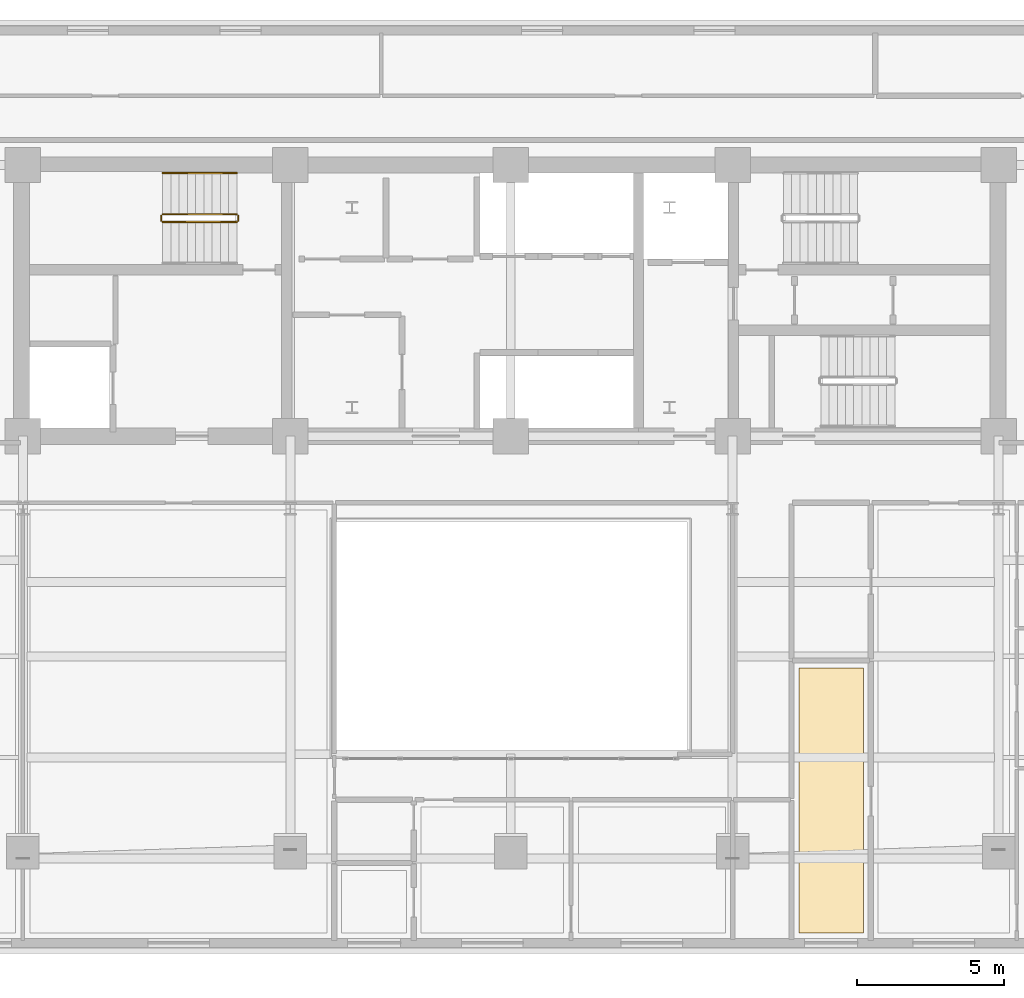
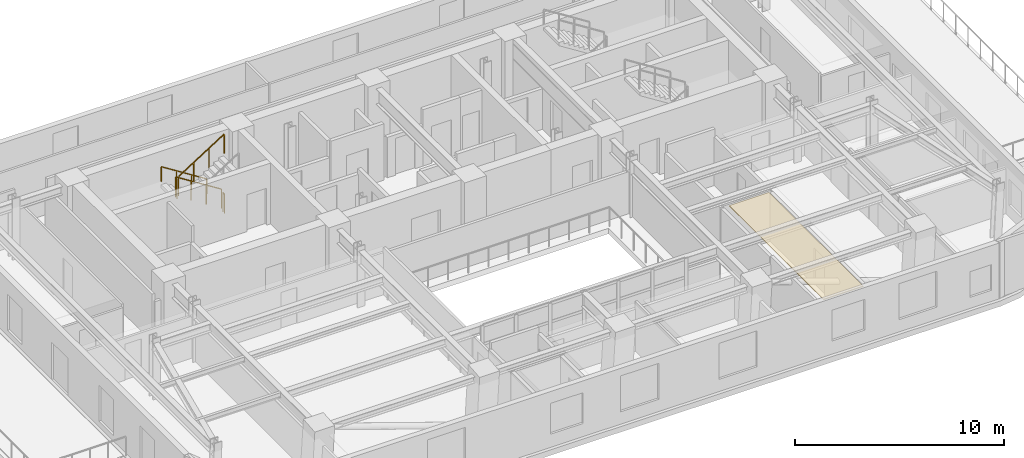
# One storey, part 12 of 13: 5 railings, 1 covering.
"""IFC4 building model written with IfcOpenShell, lengths in metres."""

from ifc_helpers import new_model, si_unit, direction, frame, origin, origin_2d, place, context, subcontext, project, spatial, polyline, rectangle, outline, extrude, material, layer, layer_set, type_object, element, save


model = new_model("IFC4")

# Units and contexts
model_context = context("Model", 3, precision=1e-05, world=origin(), true_north=direction((0.0, 1.0)))
body_context = subcontext(model_context, "Body", "Model", "MODEL_VIEW")
ifc_project = project(units=[si_unit("LENGTHUNIT", "METRE"), si_unit("AREAUNIT", "SQUARE_METRE"), si_unit("VOLUMEUNIT", "CUBIC_METRE"), si_unit("PLANEANGLEUNIT", "RADIAN"), si_unit("MASSUNIT", "GRAM", prefix="KILO")], contexts=[model_context])

# Site, building, storey
site_placement = place(None, origin())
site = spatial("IfcSite", under=ifc_project, at=site_placement, CompositionType="ELEMENT")
building_placement = place(site_placement, origin())
building = spatial("IfcBuilding", under=site, at=building_placement, Name="Zarnavel Station Tower", CompositionType="ELEMENT")
storey_placement = place(building_placement, frame((0.0, 0.0, 137.699951171875)))
storey = spatial("IfcBuildingStorey", under=building, at=storey_placement, Name="L37", CompositionType="ELEMENT", Elevation=137.699951171875)

# Covering
ifc_material_1 = material(Name="Perforated Gypsum and Mineral-Wool Acoustic Ceiling", Category="concrete")
ifc_layer = layer(ifc_material_1, 0.0400390625)
ifc_layer_set = layer_set([ifc_layer], Name="COV_CEIL_ACOUSTIC")
covering_type = type_object("IfcCoveringType", Name="COV_CEIL_ACOUSTIC", PredefinedType="CEILING", material=ifc_layer_set)
covering_placement = place(storey_placement, frame((0.0, 0.0, 2.969970703125)))
element("IfcCovering", 1, at=covering_placement, inside=storey, type_object=covering_type, Name="L37 UE1KT Acoustic Ceiling", PredefinedType="CEILING", context=body_context, shape_type="SweptSolid", body=[
    extrude(outline(polyline([(38.60009765625, 10.909912109375), (40.800048828125, 10.909912109375), (40.800048828125, 19.93994140625), (38.60009765625, 19.93994140625), (38.60009765625, 10.909912109375)])), origin(), (0.0, 0.0, 1.0), 0.0400390625),
])

# Railings
ifc_material_2 = material(Name="Painted Steel S355J2 Balustrade", Category="steel")
railing_type_1 = type_object("IfcRailingType", Name="GR_INT_1150", PredefinedType="GUARDRAIL", material=ifc_material_2)
railing_1_placement = place(storey_placement, frame((19.47998046875, 35.3701171875, 0.177490234375)))
element("IfcRailing", 2, at=railing_1_placement, inside=storey, type_object=railing_type_1, Name="L37 ST1 stair guard 1", PredefinedType="GUARDRAIL", context=body_context, shape_type="SweptSolid", body=[
    extrude(rectangle(XDim=0.048095703125, YDim=0.048095703125, at=origin_2d()), frame((-0.001708984375, 0.0, 1.126953125), z_axis=(-0.84456994832, 0.0, 0.535445237532), x_axis=(0.0, -1.0, 0.0)), (0.0, 0.0, 1.0), 2.979736328125),
    extrude(rectangle(XDim=0.0419921875, YDim=0.0419921875, at=origin_2d()), origin(), (0.0, 0.0, 1.0), 1.101806640625),
    extrude(rectangle(XDim=0.0419921875, YDim=0.0419921875, at=origin_2d()), frame((-0.840087890625, 0.0, 0.532470703125)), (0.0, 0.0, 1.0), 1.101806640625),
    extrude(rectangle(XDim=0.0419921875, YDim=0.0419921875, at=origin_2d()), frame((-1.679931640625, 0.0, 1.065185546875)), (0.0, 0.0, 1.0), 1.101806640625),
    extrude(rectangle(XDim=0.0419921875, YDim=0.0419921875, at=origin_2d()), frame((-2.52001953125, 0.0, 1.59765625)), (0.0, 0.0, 1.0), 1.101806640625),
])
railing_2_placement = place(storey_placement, frame((16.909912109375, 35.320068359375, 1.775146484375)))
element("IfcRailing", 3, at=railing_2_placement, inside=storey, type_object=railing_type_1, Name="L37 ST1 stair guard 2", PredefinedType="GUARDRAIL", context=body_context, shape_type="SweptSolid", body=[
    extrude(rectangle(XDim=0.048095703125, YDim=0.048095703125, at=origin_2d()), frame((0.0, -0.001953125, 1.1259765625), z_axis=(0.0, -1.0, 0.0), x_axis=(1.0, 0.0, 0.0)), (0.0, 0.0, 1.0), 0.15625),
    extrude(rectangle(XDim=0.0419921875, YDim=0.0419921875, at=origin_2d()), origin(), (0.0, 0.0, 1.0), 1.101806640625),
    extrude(rectangle(XDim=0.0419921875, YDim=0.0419921875, at=origin_2d()), frame((0.0, -0.16015625, 0.0)), (0.0, 0.0, 1.0), 1.101806640625),
])
railing_3_placement = place(storey_placement, frame((16.9599609375, 35.110107421875, 1.95263671875)))
element("IfcRailing", 4, at=railing_3_placement, inside=storey, type_object=railing_type_1, Name="L37 ST1 stair guard 3", PredefinedType="GUARDRAIL", context=body_context, shape_type="SweptSolid", body=[
    extrude(rectangle(XDim=0.048095703125, YDim=0.048095703125, at=origin_2d()), frame((0.001708984375, 0.0, 1.126953125), z_axis=(0.84460694969, 0.0, 0.535386869969), x_axis=(0.0, 1.0, 0.0)), (0.0, 0.0, 1.0), 2.979736328125),
    extrude(rectangle(XDim=0.0419921875, YDim=0.0419921875, at=origin_2d()), origin(), (0.0, 0.0, 1.0), 1.101806640625),
    extrude(rectangle(XDim=0.0419921875, YDim=0.0419921875, at=origin_2d()), frame((0.840087890625, 0.0, 0.532470703125)), (0.0, 0.0, 1.0), 1.101806640625),
    extrude(rectangle(XDim=0.0419921875, YDim=0.0419921875, at=origin_2d()), frame((1.679931640625, 0.0, 1.06494140625)), (0.0, 0.0, 1.0), 1.101806640625),
    extrude(rectangle(XDim=0.0419921875, YDim=0.0419921875, at=origin_2d()), frame((2.52001953125, 0.0, 1.597412109375)), (0.0, 0.0, 1.0), 1.101806640625),
])
railing_4_placement = place(storey_placement, frame((19.530029296875, 35.320068359375, 0.0)))
element("IfcRailing", 5, at=railing_4_placement, inside=storey, type_object=railing_type_1, Name="L37 ST1 stair guard 4", PredefinedType="GUARDRAIL", context=body_context, shape_type="SweptSolid", body=[
    extrude(rectangle(XDim=0.048095703125, YDim=0.048095703125, at=origin_2d()), frame((0.0, -0.001953125, 1.1259765625), z_axis=(0.0, -1.0, 0.0), x_axis=(1.0, 0.0, 0.0)), (0.0, 0.0, 1.0), 0.15625),
    extrude(rectangle(XDim=0.0419921875, YDim=0.0419921875, at=origin_2d()), origin(), (0.0, 0.0, 1.0), 1.101806640625),
    extrude(rectangle(XDim=0.0419921875, YDim=0.0419921875, at=origin_2d()), frame((0.0, -0.16015625, 0.0)), (0.0, 0.0, 1.0), 1.101806640625),
])
ifc_material_3 = material(Name="Brushed Stainless Steel S355J2 Handrail", Category="steel")
railing_type_2 = type_object("IfcRailingType", Name="HR_STAIR_900", PredefinedType="HANDRAIL", material=ifc_material_3)
railing_5_placement = place(storey_placement, frame((19.47998046875, 36.77001953125, 0.177490234375)))
element("IfcRailing", 6, at=railing_5_placement, inside=storey, type_object=railing_type_2, Name="L37 ST1 stair handrail 1", PredefinedType="HANDRAIL", context=body_context, shape_type="SweptSolid", body=[
    extrude(rectangle(XDim=0.048095703125, YDim=0.048095703125, at=origin_2d()), frame((-0.001708984375, 0.0, 0.876953125), z_axis=(-0.84456994832, 0.0, 0.535445237532), x_axis=(0.0, -1.0, 0.0)), (0.0, 0.0, 1.0), 2.979736328125),
    extrude(rectangle(XDim=0.0419921875, YDim=0.0419921875, at=origin_2d()), origin(), (0.0, 0.0, 1.0), 0.851806640625),
    extrude(rectangle(XDim=0.0419921875, YDim=0.0419921875, at=origin_2d()), frame((-0.840087890625, 0.0, 0.532470703125)), (0.0, 0.0, 1.0), 0.851806640625),
    extrude(rectangle(XDim=0.0419921875, YDim=0.0419921875, at=origin_2d()), frame((-1.679931640625, 0.0, 1.065185546875)), (0.0, 0.0, 1.0), 0.851806640625),
    extrude(rectangle(XDim=0.0419921875, YDim=0.0419921875, at=origin_2d()), frame((-2.52001953125, 0.0, 1.59765625)), (0.0, 0.0, 1.0), 0.851806640625),
])

save(model, "model.ifc")
